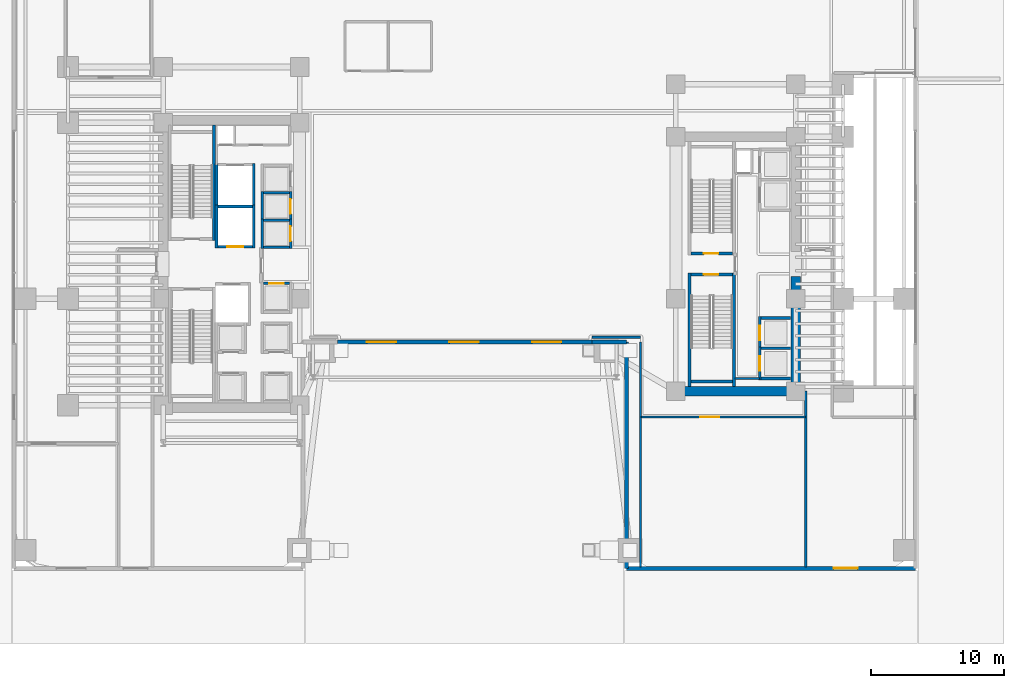
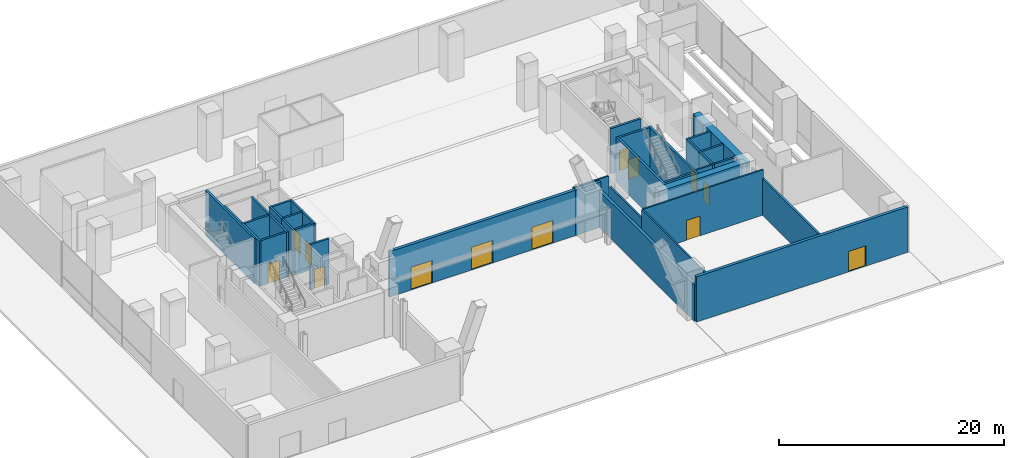
# One storey, part 17 of 27: 37 walls, 13 doors, 13 openings.
"""IFC4 building model written with IfcOpenShell, lengths in metres."""

from ifc_helpers import new_model, si_unit, direction, frame, frame_2d, origin, place, context, subcontext, project, spatial, rectangle, extrude, material, layer, layer_set, type_object, element, fill, save


model = new_model("IFC4")

# Units and contexts
model_context = context("Model", 3, precision=1e-05, world=origin(), true_north=direction((0.0, 1.0)))
body_context = subcontext(model_context, "Body", "Model", "MODEL_VIEW")
ifc_project = project(units=[si_unit("LENGTHUNIT", "METRE"), si_unit("AREAUNIT", "SQUARE_METRE"), si_unit("VOLUMEUNIT", "CUBIC_METRE"), si_unit("PLANEANGLEUNIT", "RADIAN"), si_unit("MASSUNIT", "GRAM", prefix="KILO")], contexts=[model_context])

# Site, building, storey
site_placement = place(None, origin())
site = spatial("IfcSite", under=ifc_project, at=site_placement, CompositionType="ELEMENT")
building_placement = place(site_placement, origin())
building = spatial("IfcBuilding", under=site, at=building_placement, Name="Valdorenza Pilgrim Sanctuary Tower", CompositionType="ELEMENT")
storey_placement = place(building_placement, origin())
storey = spatial("IfcBuildingStorey", under=building, at=storey_placement, Name="L00", CompositionType="ELEMENT", Elevation=0.0)

# Wall
ifc_material_1 = material(Name="Acoustic twin-stud gypsum partition", Category="gypsum")
ifc_layer_1 = layer(ifc_material_1, 0.159912109375, Name="Acoustic twin-stud gypsum partition")
ifc_layer_set_1 = layer_set([ifc_layer_1], Name="Acoustic twin-stud gypsum partition")
wall_type_1 = type_object("IfcWallType", Name="WAL-COR-160", PredefinedType="PARTITIONING", material=ifc_layer_set_1)
wall_1_placement = place(storey_placement, frame((20.300048828125, -8.60009765625, 0.0), z_axis=(0.0, 0.0, 1.0), x_axis=(1.0, 0.0, 0.0)))
element("IfcWall", 1, at=wall_1_placement, inside=storey, type_object=wall_type_1, Name="L00 Core B Lift Hall South End Wall", PredefinedType="PARTITIONING", context=body_context, shape_type="SweptSolid", body=[
    extrude(rectangle(XDim=1.820068359375, YDim=0.159912109375, at=frame_2d((0.91015625, 0.0))), origin(), (0.0, 0.0, 1.0), 4.919921875),
])

# Wall, opening, door
wall_2_placement = place(storey_placement, frame((13.199951171875, -11.5, 0.0), z_axis=(0.0, 0.0, 1.0), x_axis=(1.0, 0.0, 0.0)))
wall_2 = element("IfcWall", 2, at=wall_2_placement, inside=storey, type_object=wall_type_1, Name="L00 Cycle Store North Wall", PredefinedType="PARTITIONING", context=body_context, shape_type="SweptSolid", body=[
    extrude(rectangle(XDim=12.400146484375, YDim=0.159912109375, at=frame_2d((6.2001953125, 0.0))), origin(), (0.0, 0.0, 1.0), 4.919921875),
])
opening_1_placement = place(wall_2_placement, frame((4.5, 0.0, 0.0)))
opening_1 = element("IfcOpeningElement", 3, at=opening_1_placement, cuts=wall_2, Name="Opening DR-PL1", PredefinedType="OPENING", context=body_context, shape_type="SweptSolid", body=[
    extrude(rectangle(XDim=1.39990234375, YDim=2.14990234375, at=frame_2d((0.699951171875, 1.074951171875))), frame((0.0, 0.0947265625, 0.0), z_axis=(0.0, -1.0, 0.0), x_axis=(1.0, 0.0, 0.0)), (0.0, 0.0, 1.0), 0.189697265625),
])
ifc_material_2 = material(Name="Painted galvanized steel", Category="steel")
door_type_1 = type_object("IfcDoorType", Name="DR-PLT-1400", OperationType="NOTDEFINED", PredefinedType="DOOR", material=ifc_material_2)
door_1_placement = place(opening_1_placement, frame((1.39990234375, 0.0, 0.0), z_axis=(0.0, 0.0, 1.0), x_axis=(-1.0, 0.0, 0.0)))
door_1 = element("IfcDoor", 4, at=door_1_placement, inside=storey, type_object=door_type_1, Name="L00 Bicycle and Pilgrim Luggage Store Door", OperationType="DOUBLE_DOOR_SINGLE_SWING", OverallHeight=2.14990234375, OverallWidth=1.39990234375, PredefinedType="DOOR", context=body_context, shape_type="SweptSolid", body=[
    extrude(rectangle(XDim=1.39990234375, YDim=2.14990234375, at=frame_2d((0.699951171875, 1.074951171875))), frame((0.0, 0.02490234375, 0.0), z_axis=(0.0, -1.0, 0.0), x_axis=(1.0, 0.0, 0.0)), (0.0, 0.0, 1.0), 0.050048828125),
])
fill(opening_1, door_1)

# Walls
wall_3_placement = place(storey_placement, frame((13.199951171875, -22.739990234375, 0.0), z_axis=(0.0, 0.0, 1.0), x_axis=(0.0, 1.0, 0.0)))
element("IfcWall", 5, at=wall_3_placement, inside=storey, type_object=wall_type_1, Name="L00 Cycle Store West Wall", PredefinedType="PARTITIONING", context=body_context, shape_type="SweptSolid", body=[
    extrude(rectangle(XDim=11.239990234375, YDim=0.159912109375, at=frame_2d((5.6201171875, 0.0))), origin(), (0.0, 0.0, 1.0), 4.919921875),
])
wall_4_placement = place(storey_placement, frame((13.199951171875, -11.5, 0.0), z_axis=(0.0, 0.0, 1.0), x_axis=(0.0, 1.0, 0.0)))
element("IfcWall", 6, at=wall_4_placement, inside=storey, type_object=wall_type_1, Name="L00 South-East Vestibule West Wall", PredefinedType="PARTITIONING", context=body_context, shape_type="SweptSolid", body=[
    extrude(rectangle(XDim=5.64990234375, YDim=0.159912109375, at=frame_2d((2.824951171875, 0.0))), origin(), (0.0, 0.0, 1.0), 3.95703125),
])
wall_5_placement = place(storey_placement, frame((9.550048828125, -5.5, 0.0), z_axis=(0.0, 0.0, 1.0), x_axis=(1.0, 0.0, 0.0)))
element("IfcWall", 7, at=wall_5_placement, inside=storey, type_object=wall_type_1, Name="L00 Central Concourse East Arch Pier Partition", PredefinedType="PARTITIONING", context=body_context, shape_type="SweptSolid", body=[
    extrude(rectangle(XDim=3.64990234375, YDim=0.159912109375, at=frame_2d((1.824951171875, 0.0))), origin(), (0.0, 0.0, 1.0), 4.919921875),
])
ifc_material_3 = material(Name="Concrete C60/75", Category="concrete")
ifc_layer_2 = layer(ifc_material_3, 0.699951171875, Name="Concrete C60/75")
ifc_layer_set_2 = layer_set([ifc_layer_2], Name="Concrete C60/75")
wall_type_2 = type_object("IfcWallType", Name="WAL-COR-700", PredefinedType="SHEAR", material=ifc_layer_set_2)
wall_6_placement = place(storey_placement, frame((24.85009765625, -9.89990234375, 0.0), z_axis=(0.0, 0.0, 1.0), x_axis=(0.0, 1.0, 0.0)))
element("IfcWall", 8, at=wall_6_placement, inside=storey, type_object=wall_type_2, Name="L00 Split Core B Shear Wall ES", PredefinedType="SHEAR", context=body_context, shape_type="SweptSolid", body=[
    extrude(rectangle(XDim=8.949951171875, YDim=0.699951171875, at=frame_2d((4.47509765625, 0.0))), origin(), (0.0, 0.0, 1.0), 4.919921875),
])
wall_7_placement = place(storey_placement, frame((15.85009765625, -9.550048828125, 0.0), z_axis=(0.0, 0.0, 1.0), x_axis=(1.0, 0.0, 0.0)))
element("IfcWall", 9, at=wall_7_placement, inside=storey, type_object=wall_type_2, Name="L00 Split Core B Shear Wall S", PredefinedType="SHEAR", context=body_context, shape_type="SweptSolid", body=[
    extrude(rectangle(XDim=9.0, YDim=0.699951171875, at=frame_2d((4.5, 0.0))), origin(), (0.0, 0.0, 1.0), 4.919921875),
])

# Wall, opening, door
ifc_material_4 = material(Name="Honed travertine limestone", Category="masonry")
ifc_layer_3 = layer(ifc_material_4, 0.300048828125, Name="Honed travertine limestone")
ifc_layer_set_3 = layer_set([ifc_layer_3], Name="Honed travertine limestone")
wall_type_3 = type_object("IfcWallType", Name="WAL-EXT-300", PredefinedType="SOLIDWALL", material=ifc_layer_set_3)
wall_8_placement = place(storey_placement, frame((12.14990234375, -22.85009765625, 0.0), z_axis=(0.0, 0.0, 1.0), x_axis=(1.0, 0.0, 0.0)))
wall_8 = element("IfcWall", 10, at=wall_8_placement, inside=storey, type_object=wall_type_3, Name="L00 Podium Honed Travertine Stone Wall S-E", PredefinedType="SOLIDWALL", context=body_context, shape_type="SweptSolid", body=[
    extrude(rectangle(XDim=21.7001953125, YDim=0.300048828125, at=frame_2d((10.85009765625, 0.0))), origin(), (0.0, 0.0, 1.0), 4.919921875),
])
opening_2_placement = place(wall_8_placement, frame((15.550048828125, 0.0, 0.0)))
opening_2 = element("IfcOpeningElement", 11, at=opening_2_placement, cuts=wall_8, Name="Opening D-EXP-E", PredefinedType="OPENING", context=body_context, shape_type="SweptSolid", body=[
    extrude(rectangle(XDim=1.800048828125, YDim=2.199951171875, at=frame_2d((0.89990234375, 1.10009765625))), frame((0.0, 0.1650390625, 0.0), z_axis=(0.0, -1.0, 0.0), x_axis=(1.0, 0.0, 0.0)), (0.0, 0.0, 1.0), 0.329833984375),
])
door_type_2 = type_object("IfcDoorType", Name="DR-EXT-ESC-1800", OperationType="NOTDEFINED", PredefinedType="DOOR", material=ifc_material_2)
door_2_placement = place(opening_2_placement, frame((1.800048828125, 0.0, 0.0), z_axis=(0.0, 0.0, 1.0), x_axis=(-1.0, 0.0, 0.0)))
door_2 = element("IfcDoor", 12, at=door_2_placement, inside=storey, type_object=door_type_2, Name="L00 Core B Protected Stair Discharge Final Exit Door", OperationType="SINGLE_SWING_LEFT", OverallHeight=2.199951171875, OverallWidth=1.800048828125, PredefinedType="DOOR", context=body_context, shape_type="SweptSolid", body=[
    extrude(rectangle(XDim=1.800048828125, YDim=2.199951171875, at=frame_2d((0.89990234375, 1.10009765625))), frame((0.0, 0.02490234375, 0.0), z_axis=(0.0, -1.0, 0.0), x_axis=(1.0, 0.0, 0.0)), (0.0, 0.0, 1.0), 0.050048828125),
])
fill(opening_2, door_2)

# Walls
wall_9_placement = place(storey_placement, frame((12.14990234375, -22.85009765625, 0.0), z_axis=(0.0, 0.0, 1.0), x_axis=(0.0, 1.0, 0.0)))
element("IfcWall", 13, at=wall_9_placement, inside=storey, type_object=wall_type_3, Name="L00 Portal Arch Stone Cheek Wall ARCH-E", PredefinedType="SOLIDWALL", context=body_context, shape_type="SweptSolid", body=[
    extrude(rectangle(XDim=17.0, YDim=0.300048828125, at=frame_2d((8.5, 0.0))), origin(), (0.0, 0.0, 1.0), 3.95703125),
])
wall_10_placement = place(storey_placement, frame((9.550048828125, -5.85009765625, 0.0), z_axis=(0.0, 0.0, 1.0), x_axis=(1.0, 0.0, 0.0)))
element("IfcWall", 14, at=wall_10_placement, inside=storey, type_object=wall_type_3, Name="L00 Arch Pier East Stone Jamb", PredefinedType="SOLIDWALL", context=body_context, shape_type="SweptSolid", body=[
    extrude(rectangle(XDim=2.599853515625, YDim=0.300048828125, at=frame_2d((1.2998046875, 0.0))), origin(), (0.0, 0.0, 1.0), 4.919921875),
])

# Wall, openings, doors
wall_11_placement = place(storey_placement, frame((-9.550048828125, -5.85009765625, 0.0), z_axis=(0.0, 0.0, 1.0), x_axis=(1.0, 0.0, 0.0)))
wall_11 = element("IfcWall", 15, at=wall_11_placement, inside=storey, type_object=wall_type_3, Name="L00 Portal Arch Grand Entrance Stone Wall", PredefinedType="SOLIDWALL", context=body_context, shape_type="SweptSolid", body=[
    extrude(rectangle(XDim=19.10009765625, YDim=0.300048828125, at=frame_2d((9.550048828125, 0.0))), origin(), (0.0, 0.0, 1.0), 4.919921875),
])
opening_3_placement = place(wall_11_placement, frame((2.199951171875, 0.0, 0.0)))
opening_3 = element("IfcOpeningElement", 16, at=opening_3_placement, cuts=wall_11, Name="Opening D-ENT-01", PredefinedType="OPENING", context=body_context, shape_type="SweptSolid", body=[
    extrude(rectangle(XDim=2.199951171875, YDim=2.449951171875, at=frame_2d((1.10009765625, 1.22509765625))), frame((0.0, 0.1650390625, 0.0), z_axis=(0.0, -1.0, 0.0), x_axis=(1.0, 0.0, 0.0)), (0.0, 0.0, 1.0), 0.329833984375),
])
opening_4_placement = place(wall_11_placement, frame((8.39990234375, 0.0, 0.0)))
opening_4 = element("IfcOpeningElement", 17, at=opening_4_placement, cuts=wall_11, Name="Opening D-ENT-02", PredefinedType="OPENING", context=body_context, shape_type="SweptSolid", body=[
    extrude(rectangle(XDim=2.199951171875, YDim=2.449951171875, at=frame_2d((1.10009765625, 1.22509765625))), frame((0.0, 0.1650390625, 0.0), z_axis=(0.0, -1.0, 0.0), x_axis=(1.0, 0.0, 0.0)), (0.0, 0.0, 1.0), 0.329833984375),
])
opening_5_placement = place(wall_11_placement, frame((14.60009765625, 0.0, 0.0)))
opening_5 = element("IfcOpeningElement", 18, at=opening_5_placement, cuts=wall_11, Name="Opening D-ENT-03", PredefinedType="OPENING", context=body_context, shape_type="SweptSolid", body=[
    extrude(rectangle(XDim=2.199951171875, YDim=2.449951171875, at=frame_2d((1.10009765625, 1.22509765625))), frame((0.0, 0.1650390625, 0.0), z_axis=(0.0, -1.0, 0.0), x_axis=(1.0, 0.0, 0.0)), (0.0, 0.0, 1.0), 0.329833984375),
])
ifc_material_5 = material(Name="Champagne anodised aluminium and glass", Category="aluminium")
door_type_3 = type_object("IfcDoorType", Name="DR-EXT-DBL-2200", OperationType="NOTDEFINED", PredefinedType="DOOR", material=ifc_material_5)
door_3_placement = place(opening_3_placement, frame((2.199951171875, 0.0, 0.0), z_axis=(0.0, 0.0, 1.0), x_axis=(-1.0, 0.0, 0.0)))
door_3 = element("IfcDoor", 19, at=door_3_placement, inside=storey, type_object=door_type_3, Name="L00 Portal Arch Main Entrance Door 1", OperationType="SINGLE_SWING_LEFT", OverallHeight=2.449951171875, OverallWidth=2.199951171875, PredefinedType="DOOR", context=body_context, shape_type="SweptSolid", body=[
    extrude(rectangle(XDim=2.199951171875, YDim=2.449951171875, at=frame_2d((1.10009765625, 1.22509765625))), frame((0.0, 0.02490234375, 0.0), z_axis=(0.0, -1.0, 0.0), x_axis=(1.0, 0.0, 0.0)), (0.0, 0.0, 1.0), 0.050048828125),
])
fill(opening_3, door_3)
door_4_placement = place(opening_4_placement, frame((2.199951171875, 0.0, 0.0), z_axis=(0.0, 0.0, 1.0), x_axis=(-1.0, 0.0, 0.0)))
door_4 = element("IfcDoor", 20, at=door_4_placement, inside=storey, type_object=door_type_3, Name="L00 Portal Arch Main Entrance Door 2", OperationType="SINGLE_SWING_LEFT", OverallHeight=2.449951171875, OverallWidth=2.199951171875, PredefinedType="DOOR", context=body_context, shape_type="SweptSolid", body=[
    extrude(rectangle(XDim=2.199951171875, YDim=2.449951171875, at=frame_2d((1.10009765625, 1.22509765625))), frame((0.0, 0.02490234375, 0.0), z_axis=(0.0, -1.0, 0.0), x_axis=(1.0, 0.0, 0.0)), (0.0, 0.0, 1.0), 0.050048828125),
])
fill(opening_4, door_4)
door_5_placement = place(opening_5_placement, frame((2.199951171875, 0.0, 0.0), z_axis=(0.0, 0.0, 1.0), x_axis=(-1.0, 0.0, 0.0)))
door_5 = element("IfcDoor", 21, at=door_5_placement, inside=storey, type_object=door_type_3, Name="L00 Portal Arch Main Entrance Door 3", OperationType="SINGLE_SWING_LEFT", OverallHeight=2.449951171875, OverallWidth=2.199951171875, PredefinedType="DOOR", context=body_context, shape_type="SweptSolid", body=[
    extrude(rectangle(XDim=2.199951171875, YDim=2.449951171875, at=frame_2d((1.10009765625, 1.22509765625))), frame((0.0, 0.02490234375, 0.0), z_axis=(0.0, -1.0, 0.0), x_axis=(1.0, 0.0, 0.0)), (0.0, 0.0, 1.0), 0.050048828125),
])
fill(opening_5, door_5)

# Walls
ifc_material_6 = material(Name="Gypsum shaftwall partition", Category="gypsum")
ifc_layer_4 = layer(ifc_material_6, 0.199951171875, Name="Gypsum shaftwall partition")
ifc_layer_set_4 = layer_set([ifc_layer_4], Name="Gypsum shaftwall partition")
wall_type_4 = type_object("IfcWallType", Name="WAL-FFL-200", PredefinedType="PARTITIONING", material=ifc_layer_set_4)
wall_12_placement = place(storey_placement, frame((25.60009765625, -22.739990234375, 0.0), z_axis=(0.0, 0.0, 1.0), x_axis=(0.0, 1.0, 0.0)))
element("IfcWall", 22, at=wall_12_placement, inside=storey, type_object=wall_type_4, Name="L00 Core B Protected Exit Passage West Wall", PredefinedType="PARTITIONING", context=body_context, shape_type="SweptSolid", body=[
    extrude(rectangle(XDim=13.18994140625, YDim=0.199951171875, at=frame_2d((6.594970703125, 0.0))), origin(), (0.0, 0.0, 1.0), 3.95703125),
])
ifc_material_7 = material(Name="Autoclaved aerated concrete blockwork", Category="masonry")
ifc_layer_5 = layer(ifc_material_7, 0.199951171875, Name="Autoclaved aerated concrete blockwork")
ifc_layer_set_5 = layer_set([ifc_layer_5], Name="Autoclaved aerated concrete blockwork")
wall_type_5 = type_object("IfcWallType", Name="WAL-SHF-200", PredefinedType="MOVABLE", material=ifc_layer_set_5)
for number, where, z_axis, x_axis, name in (
    (23, (-18.64990234375, 1.199951171875, 0.0), (0.0, 0.0, 1.0), (0.0, 1.0, 0.0), "L00 Lift FFL-01 Hoistway Wall West"),
    (24, (-15.85009765625, 1.199951171875, 0.0), (0.0, 0.0, 1.0), (0.0, 1.0, 0.0), "L00 Lift FFL-01 Hoistway Wall East"),
):
    element("IfcWall", number, at=place(storey_placement, frame(where, z_axis=z_axis, x_axis=x_axis)), inside=storey, type_object=wall_type_5, Name=name, PredefinedType="MOVABLE", context=body_context, shape_type="SweptSolid", body=[
        extrude(rectangle(XDim=3.22509765625, YDim=0.199951171875, at=frame_2d((1.612548828125, 0.0))), origin(), (0.0, 0.0, 1.0), 4.919921875),
    ])

# Wall, opening, door
wall_13_placement = place(storey_placement, frame((-18.550048828125, 1.300048828125, 0.0), z_axis=(0.0, 0.0, 1.0), x_axis=(1.0, 0.0, 0.0)))
wall_13 = element("IfcWall", 25, at=wall_13_placement, inside=storey, type_object=wall_type_5, Name="L00 Lift FFL-01 Hoistway Wall South", PredefinedType="MOVABLE", context=body_context, shape_type="SweptSolid", body=[
    extrude(rectangle(XDim=2.60009765625, YDim=0.199951171875, at=frame_2d((1.300048828125, 0.0))), origin(), (0.0, 0.0, 1.0), 4.919921875),
])
opening_6_placement = place(wall_13_placement, frame((0.699951171875, 0.0, 0.0)))
opening_6 = element("IfcOpeningElement", 26, at=opening_6_placement, cuts=wall_13, Name="Opening LD-02", PredefinedType="OPENING", context=body_context, shape_type="SweptSolid", body=[
    extrude(rectangle(XDim=1.199951171875, YDim=2.10009765625, at=frame_2d((0.60009765625, 1.050048828125))), frame((0.0, 0.11474609375, 0.0), z_axis=(0.0, -1.0, 0.0), x_axis=(1.0, 0.0, 0.0)), (0.0, 0.0, 1.0), 0.229736328125),
])
ifc_material_8 = material(Name="Brushed stainless steel Grade 316", Category="steel")
door_type_4 = type_object("IfcDoorType", Name="DR-LFT-1200", OperationType="DOUBLE_DOOR_SLIDING", PredefinedType="DOOR", material=ifc_material_8)
door_6_placement = place(opening_6_placement, origin())
door_6 = element("IfcDoor", 27, at=door_6_placement, inside=storey, type_object=door_type_4, Name="L00 Lift FFL-01 Sliding Landing Door", OperationType="DOUBLE_DOOR_SLIDING", OverallHeight=2.10009765625, OverallWidth=1.199951171875, PredefinedType="DOOR", context=body_context, shape_type="SweptSolid", body=[
    extrude(rectangle(XDim=1.199951171875, YDim=2.10009765625, at=frame_2d((0.60009765625, 1.050048828125))), frame((0.0, 0.02490234375, 0.0), z_axis=(0.0, -1.0, 0.0), x_axis=(1.0, 0.0, 0.0)), (0.0, 0.0, 1.0), 0.050048828125),
])
fill(opening_6, door_6)

# Walls
wall_14_placement = place(storey_placement, frame((-18.550048828125, 4.324951171875, 0.0), z_axis=(0.0, 0.0, 1.0), x_axis=(1.0, 0.0, 0.0)))
element("IfcWall", 28, at=wall_14_placement, inside=storey, type_object=wall_type_5, Name="L00 Lift FFL-01 Hoistway Wall North", PredefinedType="MOVABLE", context=body_context, shape_type="SweptSolid", body=[
    extrude(rectangle(XDim=2.60009765625, YDim=0.199951171875, at=frame_2d((1.300048828125, 0.0))), origin(), (0.0, 0.0, 1.0), 4.919921875),
])
for number, where, z_axis, x_axis, name in (
    (29, (-18.64990234375, 4.22509765625, 0.0), (0.0, 0.0, 1.0), (0.0, 1.0, 0.0), "L00 Lift SVL-01 Hoistway Wall West"),
    (30, (-15.85009765625, 4.22509765625, 0.0), (0.0, 0.0, 1.0), (0.0, 1.0, 0.0), "L00 Lift SVL-01 Hoistway Wall East"),
):
    element("IfcWall", number, at=place(storey_placement, frame(where, z_axis=z_axis, x_axis=x_axis)), inside=storey, type_object=wall_type_5, Name=name, PredefinedType="MOVABLE", context=body_context, shape_type="SweptSolid", body=[
        extrude(rectangle(XDim=3.324951171875, YDim=0.199951171875, at=frame_2d((1.66259765625, 0.0))), origin(), (0.0, 0.0, 1.0), 4.919921875),
    ])

# Wall, opening, door
wall_15_placement = place(storey_placement, frame((22.14990234375, -8.699951171875, 0.0), z_axis=(0.0, 0.0, 1.0), x_axis=(0.0, 1.0, 0.0)))
wall_15 = element("IfcWall", 31, at=wall_15_placement, inside=storey, type_object=wall_type_5, Name="L00 Lift PL-03 Hoistway Wall West", PredefinedType="MOVABLE", context=body_context, shape_type="SweptSolid", body=[
    extrude(rectangle(XDim=2.474853515625, YDim=0.199951171875, at=frame_2d((1.2373046875, 0.0))), origin(), (0.0, 0.0, 1.0), 4.919921875),
])
opening_7_placement = place(wall_15_placement, frame((0.6875, 0.0, 0.0)))
opening_7 = element("IfcOpeningElement", 32, at=opening_7_placement, cuts=wall_15, Name="Opening LD-01", PredefinedType="OPENING", context=body_context, shape_type="SweptSolid", body=[
    extrude(rectangle(XDim=1.10009765625, YDim=2.10009765625, at=frame_2d((0.550048828125, 1.050048828125))), frame((0.0, 0.11474609375, 0.0), z_axis=(0.0, -1.0, 0.0), x_axis=(1.0, 0.0, 0.0)), (0.0, 0.0, 1.0), 0.229736328125),
])
door_type_5 = type_object("IfcDoorType", Name="DR-LFT-1100", OperationType="DOUBLE_DOOR_SLIDING", PredefinedType="DOOR", material=ifc_material_8)
door_7_placement = place(opening_7_placement, origin())
door_7 = element("IfcDoor", 33, at=door_7_placement, inside=storey, type_object=door_type_5, Name="L00 Lift PL-03 Sliding Landing Door", OperationType="DOUBLE_DOOR_SLIDING", OverallHeight=2.10009765625, OverallWidth=1.10009765625, PredefinedType="DOOR", context=body_context, shape_type="SweptSolid", body=[
    extrude(rectangle(XDim=1.10009765625, YDim=2.10009765625, at=frame_2d((0.550048828125, 1.050048828125))), frame((0.0, 0.02490234375, 0.0), z_axis=(0.0, -1.0, 0.0), x_axis=(1.0, 0.0, 0.0)), (0.0, 0.0, 1.0), 0.050048828125),
])
fill(opening_7, door_7)

# Walls
for number, where, z_axis, x_axis, name in (
    (34, (22.25, -8.60009765625, 0.0), (0.0, 0.0, 1.0), (1.0, 0.0, 0.0), "L00 Lift PL-03 Hoistway Wall South"),
    (35, (22.25, -6.324951171875, 0.0), (0.0, 0.0, 1.0), (1.0, 0.0, 0.0), "L00 Lift PL-03 Hoistway Wall North"),
):
    element("IfcWall", number, at=place(storey_placement, frame(where, z_axis=z_axis, x_axis=x_axis)), inside=storey, type_object=wall_type_5, Name=name, PredefinedType="MOVABLE", context=body_context, shape_type="SweptSolid", body=[
        extrude(rectangle(XDim=2.22998046875, YDim=0.199951171875, at=frame_2d((1.114990234375, 0.0))), origin(), (0.0, 0.0, 1.0), 4.919921875),
    ])

# Wall, opening, door
wall_16_placement = place(storey_placement, frame((22.14990234375, -6.425048828125, 0.0), z_axis=(0.0, 0.0, 1.0), x_axis=(0.0, 1.0, 0.0)))
wall_16 = element("IfcWall", 36, at=wall_16_placement, inside=storey, type_object=wall_type_5, Name="L00 Lift PL-04 Hoistway Wall West", PredefinedType="MOVABLE", context=body_context, shape_type="SweptSolid", body=[
    extrude(rectangle(XDim=2.47509765625, YDim=0.199951171875, at=frame_2d((1.237548828125, 0.0))), origin(), (0.0, 0.0, 1.0), 4.919921875),
])
opening_8_placement = place(wall_16_placement, frame((0.6875, 0.0, 0.0)))
opening_8 = element("IfcOpeningElement", 37, at=opening_8_placement, cuts=wall_16, Name="Opening LD-01", PredefinedType="OPENING", context=body_context, shape_type="SweptSolid", body=[
    extrude(rectangle(XDim=1.10009765625, YDim=2.10009765625, at=frame_2d((0.550048828125, 1.050048828125))), frame((0.0, 0.11474609375, 0.0), z_axis=(0.0, -1.0, 0.0), x_axis=(1.0, 0.0, 0.0)), (0.0, 0.0, 1.0), 0.229736328125),
])
door_8_placement = place(opening_8_placement, origin())
door_8 = element("IfcDoor", 38, at=door_8_placement, inside=storey, type_object=door_type_5, Name="L00 Lift PL-04 Sliding Landing Door", OperationType="DOUBLE_DOOR_SLIDING", OverallHeight=2.10009765625, OverallWidth=1.10009765625, PredefinedType="DOOR", context=body_context, shape_type="SweptSolid", body=[
    extrude(rectangle(XDim=1.10009765625, YDim=2.10009765625, at=frame_2d((0.550048828125, 1.050048828125))), frame((0.0, 0.02490234375, 0.0), z_axis=(0.0, -1.0, 0.0), x_axis=(1.0, 0.0, 0.0)), (0.0, 0.0, 1.0), 0.050048828125),
])
fill(opening_8, door_8)

# Walls
wall_17_placement = place(storey_placement, frame((22.25, -4.050048828125, 0.0), z_axis=(0.0, 0.0, 1.0), x_axis=(1.0, 0.0, 0.0)))
element("IfcWall", 39, at=wall_17_placement, inside=storey, type_object=wall_type_5, Name="L00 Lift PL-04 Hoistway Wall North", PredefinedType="MOVABLE", context=body_context, shape_type="SweptSolid", body=[
    extrude(rectangle(XDim=2.22998046875, YDim=0.199951171875, at=frame_2d((1.114990234375, 0.0))), origin(), (0.0, 0.0, 1.0), 4.919921875),
])
wall_18_placement = place(storey_placement, frame((-15.199951171875, 1.14990234375, 0.0), z_axis=(0.0, 0.0, 1.0), x_axis=(0.0, 1.0, 0.0)))
element("IfcWall", 40, at=wall_18_placement, inside=storey, type_object=wall_type_5, Name="L00 Lift PL-06 Hoistway Wall West", PredefinedType="MOVABLE", context=body_context, shape_type="SweptSolid", body=[
    extrude(rectangle(XDim=2.25, YDim=0.199951171875, at=frame_2d((1.125, 0.0))), origin(), (0.0, 0.0, 1.0), 4.919921875),
])

# Wall, opening, door
wall_19_placement = place(storey_placement, frame((-13.080078125, 1.14990234375, 0.0), z_axis=(0.0, 0.0, 1.0), x_axis=(0.0, 1.0, 0.0)))
wall_19 = element("IfcWall", 41, at=wall_19_placement, inside=storey, type_object=wall_type_5, Name="L00 Lift PL-06 Hoistway Wall East", PredefinedType="MOVABLE", context=body_context, shape_type="SweptSolid", body=[
    extrude(rectangle(XDim=2.25, YDim=0.199951171875, at=frame_2d((1.125, 0.0))), origin(), (0.0, 0.0, 1.0), 4.919921875),
])
opening_9_placement = place(wall_19_placement, frame((0.574951171875, 0.0, 0.0)))
opening_9 = element("IfcOpeningElement", 42, at=opening_9_placement, cuts=wall_19, Name="Opening LD-01", PredefinedType="OPENING", context=body_context, shape_type="SweptSolid", body=[
    extrude(rectangle(XDim=1.10009765625, YDim=2.10009765625, at=frame_2d((0.550048828125, 1.050048828125))), frame((0.0, 0.11474609375, 0.0), z_axis=(0.0, -1.0, 0.0), x_axis=(1.0, 0.0, 0.0)), (0.0, 0.0, 1.0), 0.229736328125),
])
door_9_placement = place(opening_9_placement, origin())
door_9 = element("IfcDoor", 43, at=door_9_placement, inside=storey, type_object=door_type_5, Name="L00 Lift PL-06 Sliding Landing Door", OperationType="DOUBLE_DOOR_SLIDING", OverallHeight=2.10009765625, OverallWidth=1.10009765625, PredefinedType="DOOR", context=body_context, shape_type="SweptSolid", body=[
    extrude(rectangle(XDim=1.10009765625, YDim=2.10009765625, at=frame_2d((0.550048828125, 1.050048828125))), frame((0.0, 0.02490234375, 0.0), z_axis=(0.0, -1.0, 0.0), x_axis=(1.0, 0.0, 0.0)), (0.0, 0.0, 1.0), 0.050048828125),
])
fill(opening_9, door_9)

# Walls
wall_20_placement = place(storey_placement, frame((-15.10009765625, 1.25, 0.0), z_axis=(0.0, 0.0, 1.0), x_axis=(1.0, 0.0, 0.0)))
element("IfcWall", 44, at=wall_20_placement, inside=storey, type_object=wall_type_5, Name="L00 Lift PL-06 Hoistway Wall South", PredefinedType="MOVABLE", context=body_context, shape_type="SweptSolid", body=[
    extrude(rectangle(XDim=1.920166015625, YDim=0.199951171875, at=frame_2d((0.9599609375, 0.0))), origin(), (0.0, 0.0, 1.0), 4.919921875),
])
wall_21_placement = place(storey_placement, frame((-15.199951171875, 3.199951171875, 0.0), z_axis=(0.0, 0.0, 1.0), x_axis=(0.0, 1.0, 0.0)))
element("IfcWall", 45, at=wall_21_placement, inside=storey, type_object=wall_type_5, Name="L00 Lift PL-09 Hoistway Wall West", PredefinedType="MOVABLE", context=body_context, shape_type="SweptSolid", body=[
    extrude(rectangle(XDim=2.25, YDim=0.199951171875, at=frame_2d((1.125, 0.0))), origin(), (0.0, 0.0, 1.0), 4.919921875),
])

# Wall, opening, door
wall_22_placement = place(storey_placement, frame((-13.080078125, 3.199951171875, 0.0), z_axis=(0.0, 0.0, 1.0), x_axis=(0.0, 1.0, 0.0)))
wall_22 = element("IfcWall", 46, at=wall_22_placement, inside=storey, type_object=wall_type_5, Name="L00 Lift PL-09 Hoistway Wall East", PredefinedType="MOVABLE", context=body_context, shape_type="SweptSolid", body=[
    extrude(rectangle(XDim=2.25, YDim=0.199951171875, at=frame_2d((1.125, 0.0))), origin(), (0.0, 0.0, 1.0), 4.919921875),
])
opening_10_placement = place(wall_22_placement, frame((0.574951171875, 0.0, 0.0)))
opening_10 = element("IfcOpeningElement", 47, at=opening_10_placement, cuts=wall_22, Name="Opening LD-01", PredefinedType="OPENING", context=body_context, shape_type="SweptSolid", body=[
    extrude(rectangle(XDim=1.10009765625, YDim=2.10009765625, at=frame_2d((0.550048828125, 1.050048828125))), frame((0.0, 0.11474609375, 0.0), z_axis=(0.0, -1.0, 0.0), x_axis=(1.0, 0.0, 0.0)), (0.0, 0.0, 1.0), 0.229736328125),
])
door_10_placement = place(opening_10_placement, origin())
door_10 = element("IfcDoor", 48, at=door_10_placement, inside=storey, type_object=door_type_5, Name="L00 Lift PL-09 Sliding Landing Door", OperationType="DOUBLE_DOOR_SLIDING", OverallHeight=2.10009765625, OverallWidth=1.10009765625, PredefinedType="DOOR", context=body_context, shape_type="SweptSolid", body=[
    extrude(rectangle(XDim=1.10009765625, YDim=2.10009765625, at=frame_2d((0.550048828125, 1.050048828125))), frame((0.0, 0.02490234375, 0.0), z_axis=(0.0, -1.0, 0.0), x_axis=(1.0, 0.0, 0.0)), (0.0, 0.0, 1.0), 0.050048828125),
])
fill(opening_10, door_10)

# Walls
for number, where, z_axis, x_axis, name in (
    (49, (-15.10009765625, 3.300048828125, 0.0), (0.0, 0.0, 1.0), (1.0, 0.0, 0.0), "L00 Lift PL-09 Hoistway Wall South"),
    (50, (-15.10009765625, 5.35009765625, 0.0), (0.0, 0.0, 1.0), (1.0, 0.0, 0.0), "L00 Lift PL-09 Hoistway Wall North"),
):
    element("IfcWall", number, at=place(storey_placement, frame(where, z_axis=z_axis, x_axis=x_axis)), inside=storey, type_object=wall_type_5, Name=name, PredefinedType="MOVABLE", context=body_context, shape_type="SweptSolid", body=[
        extrude(rectangle(XDim=1.920166015625, YDim=0.199951171875, at=frame_2d((0.9599609375, 0.0))), origin(), (0.0, 0.0, 1.0), 4.919921875),
    ])

# Wall, opening, door
wall_23_placement = place(storey_placement, frame((-15.10009765625, -1.449951171875, 0.0), z_axis=(0.0, 0.0, 1.0), x_axis=(1.0, 0.0, 0.0)))
wall_23 = element("IfcWall", 51, at=wall_23_placement, inside=storey, type_object=wall_type_5, Name="L00 Lift PL-12 Hoistway Wall North", PredefinedType="MOVABLE", context=body_context, shape_type="SweptSolid", body=[
    extrude(rectangle(XDim=1.920166015625, YDim=0.199951171875, at=frame_2d((0.9599609375, 0.0))), origin(), (0.0, 0.0, 1.0), 4.919921875),
])
opening_11_placement = place(wall_23_placement, frame((0.409912109375, 0.0, 0.0)))
opening_11 = element("IfcOpeningElement", 52, at=opening_11_placement, cuts=wall_23, Name="Opening LD-01", PredefinedType="OPENING", context=body_context, shape_type="SweptSolid", body=[
    extrude(rectangle(XDim=1.10009765625, YDim=2.10009765625, at=frame_2d((0.550048828125, 1.050048828125))), frame((0.0, 0.11474609375, 0.0), z_axis=(0.0, -1.0, 0.0), x_axis=(1.0, 0.0, 0.0)), (0.0, 0.0, 1.0), 0.229736328125),
])
door_11_placement = place(opening_11_placement, origin())
door_11 = element("IfcDoor", 53, at=door_11_placement, inside=storey, type_object=door_type_5, Name="L00 Lift PL-12 Sliding Landing Door", OperationType="DOUBLE_DOOR_SLIDING", OverallHeight=2.10009765625, OverallWidth=1.10009765625, PredefinedType="DOOR", context=body_context, shape_type="SweptSolid", body=[
    extrude(rectangle(XDim=1.10009765625, YDim=2.10009765625, at=frame_2d((0.550048828125, 1.050048828125))), frame((0.0, 0.02490234375, 0.0), z_axis=(0.0, -1.0, 0.0), x_axis=(1.0, 0.0, 0.0)), (0.0, 0.0, 1.0), 0.050048828125),
])
fill(opening_11, door_11)

# Wall
ifc_material_9 = material(Name="Concrete C40/50", Category="concrete")
ifc_layer_6 = layer(ifc_material_9, 0.219970703125, Name="Concrete C40/50")
ifc_layer_set_6 = layer_set([ifc_layer_6], Name="Concrete C40/50")
wall_type_6 = type_object("IfcWallType", Name="WAL-STR-SHF-220", PredefinedType="SHEAR", material=ifc_layer_set_6)
wall_24_placement = place(storey_placement, frame((-18.830078125, 1.780029296875, 0.0), z_axis=(0.0, 0.0, 1.0), x_axis=(0.0, 1.0, 0.0)))
element("IfcWall", 54, at=wall_24_placement, inside=storey, type_object=wall_type_6, Name="L00 ST-A1 Structural Stairwell Wall E", PredefinedType="SHEAR", context=body_context, shape_type="SweptSolid", body=[
    extrude(rectangle(XDim=8.669921875, YDim=0.219970703125, at=frame_2d((4.3349609375, 0.0))), origin(), (0.0, 0.0, 1.0), 4.919921875),
])

# Wall, opening, door
wall_25_placement = place(storey_placement, frame((17.0, 0.7900390625, 0.0), z_axis=(0.0, 0.0, 1.0), x_axis=(1.0, 0.0, 0.0)))
wall_25 = element("IfcWall", 55, at=wall_25_placement, inside=storey, type_object=wall_type_6, Name="L00 ST-B1 Structural Stairwell Wall S", PredefinedType="SHEAR", context=body_context, shape_type="SweptSolid", body=[
    extrude(rectangle(XDim=3.110107421875, YDim=0.219970703125, at=frame_2d((1.55517578125, 0.0))), origin(), (0.0, 0.0, 1.0), 4.919921875),
])
opening_12_placement = place(wall_25_placement, frame((0.949951171875, 0.0, 0.0)))
opening_12 = element("IfcOpeningElement", 56, at=opening_12_placement, cuts=wall_25, Name="Opening DR-ST1", PredefinedType="OPENING", context=body_context, shape_type="SweptSolid", body=[
    extrude(rectangle(XDim=1.10009765625, YDim=2.14990234375, at=frame_2d((0.550048828125, 1.074951171875))), frame((0.0, 0.125, 0.0), z_axis=(0.0, -1.0, 0.0), x_axis=(1.0, 0.0, 0.0)), (0.0, 0.0, 1.0), 0.249755859375),
])
door_type_6 = type_object("IfcDoorType", Name="DR-STAIR-1100", OperationType="NOTDEFINED", PredefinedType="DOOR", material=ifc_material_2)
door_12_placement = place(opening_12_placement, frame((1.10009765625, 0.0, 0.0), z_axis=(0.0, 0.0, 1.0), x_axis=(-1.0, 0.0, 0.0)))
door_12 = element("IfcDoor", 57, at=door_12_placement, inside=storey, type_object=door_type_6, Name="L00 Exit Stair ST-B1 Door", OperationType="SINGLE_SWING_LEFT", OverallHeight=2.14990234375, OverallWidth=1.10009765625, PredefinedType="DOOR", context=body_context, shape_type="SweptSolid", body=[
    extrude(rectangle(XDim=1.10009765625, YDim=2.14990234375, at=frame_2d((0.550048828125, 1.074951171875))), frame((0.0, 0.02490234375, 0.0), z_axis=(0.0, -1.0, 0.0), x_axis=(1.0, 0.0, 0.0)), (0.0, 0.0, 1.0), 0.050048828125),
])
fill(opening_12, door_12)

# Walls
for number, where, z_axis, x_axis, name in (
    (58, (16.889892578125, -9.199951171875, 0.0), (0.0, 0.0, 1.0), (0.0, 1.0, 0.0), "L00 ST-B2 Structural Stairwell Wall W"),
    (59, (20.219970703125, -9.199951171875, 0.0), (0.0, 0.0, 1.0), (0.0, 1.0, 0.0), "L00 ST-B2 Structural Stairwell Wall E"),
):
    element("IfcWall", number, at=place(storey_placement, frame(where, z_axis=z_axis, x_axis=x_axis)), inside=storey, type_object=wall_type_6, Name=name, PredefinedType="SHEAR", context=body_context, shape_type="SweptSolid", body=[
        extrude(rectangle(XDim=8.52001953125, YDim=0.219970703125, at=frame_2d((4.260009765625, 0.0))), origin(), (0.0, 0.0, 1.0), 4.919921875),
    ])
wall_26_placement = place(storey_placement, frame((17.0, -8.81005859375, 0.0), z_axis=(0.0, 0.0, 1.0), x_axis=(1.0, 0.0, 0.0)))
element("IfcWall", 60, at=wall_26_placement, inside=storey, type_object=wall_type_6, Name="L00 ST-B2 Structural Stairwell Wall S", PredefinedType="SHEAR", context=body_context, shape_type="SweptSolid", body=[
    extrude(rectangle(XDim=3.110107421875, YDim=0.219970703125, at=frame_2d((1.55517578125, 0.0))), origin(), (0.0, 0.0, 1.0), 4.919921875),
])

# Wall, opening, door
wall_27_placement = place(storey_placement, frame((17.0, -0.7900390625, 0.0), z_axis=(0.0, 0.0, 1.0), x_axis=(1.0, 0.0, 0.0)))
wall_27 = element("IfcWall", 61, at=wall_27_placement, inside=storey, type_object=wall_type_6, Name="L00 ST-B2 Structural Stairwell Wall N", PredefinedType="SHEAR", context=body_context, shape_type="SweptSolid", body=[
    extrude(rectangle(XDim=3.110107421875, YDim=0.219970703125, at=frame_2d((1.55517578125, 0.0))), origin(), (0.0, 0.0, 1.0), 4.919921875),
])
opening_13_placement = place(wall_27_placement, frame((0.949951171875, 0.0, 0.0)))
opening_13 = element("IfcOpeningElement", 62, at=opening_13_placement, cuts=wall_27, Name="Opening DR-ST1", PredefinedType="OPENING", context=body_context, shape_type="SweptSolid", body=[
    extrude(rectangle(XDim=1.10009765625, YDim=2.14990234375, at=frame_2d((0.550048828125, 1.074951171875))), frame((0.0, 0.125, 0.0), z_axis=(0.0, -1.0, 0.0), x_axis=(1.0, 0.0, 0.0)), (0.0, 0.0, 1.0), 0.249755859375),
])
door_13_placement = place(opening_13_placement, origin())
door_13 = element("IfcDoor", 63, at=door_13_placement, inside=storey, type_object=door_type_6, Name="L00 Exit Stair ST-B2 Door", OperationType="SINGLE_SWING_RIGHT", OverallHeight=2.14990234375, OverallWidth=1.10009765625, PredefinedType="DOOR", context=body_context, shape_type="SweptSolid", body=[
    extrude(rectangle(XDim=1.10009765625, YDim=2.14990234375, at=frame_2d((0.550048828125, 1.074951171875))), frame((0.0, 0.02490234375, 0.0), z_axis=(0.0, -1.0, 0.0), x_axis=(1.0, 0.0, 0.0)), (0.0, 0.0, 1.0), 0.050048828125),
])
fill(opening_13, door_13)

save(model, "model.ifc")
